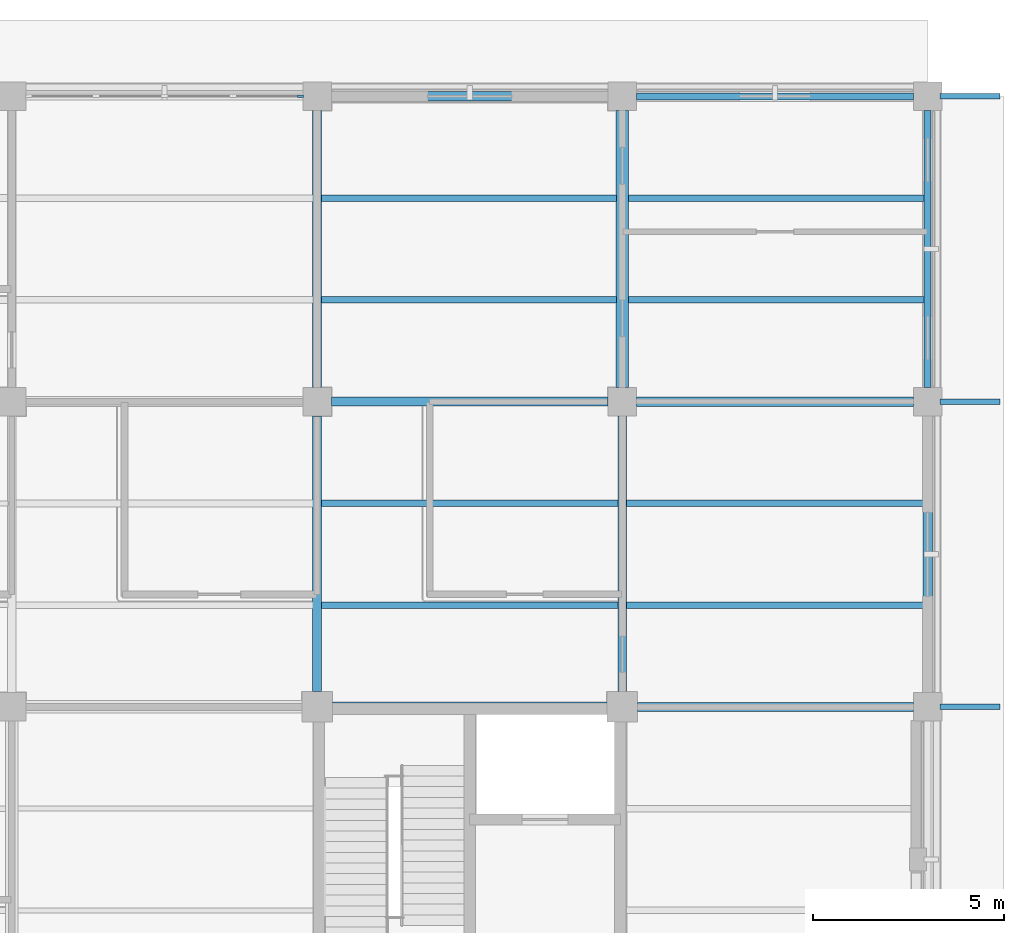
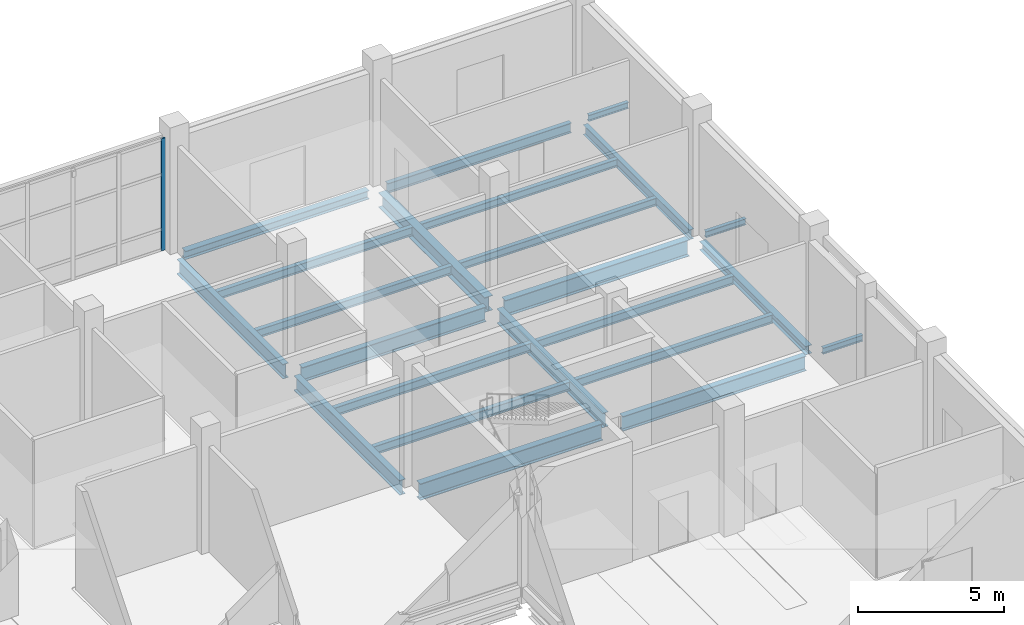
# One storey, part 47 of 105: 23 beams, 1 member, 1 element without a shape of its own.
"""IFC4 building model written with IfcOpenShell, lengths in metres."""

import ifcopenshell
import ifcopenshell.guid

model = None  # the IFC model being written
_history = None  # IfcOwnerHistory: only IFC2X3 demands one
_inside = {}  # id of a spatial element -> (the spatial element, [elements in it])
_under = {}  # id of a project, library or spatial element -> (it, [spatial elements below it])
_declared = {}  # id of a project -> (the project, [libraries it declares])
_typed = {}  # id of a type object -> (the type object, [elements of that type])
_made_of = {}  # id of a material, layer set ... -> (it, [elements and type objects made of it])


def new_model(schema):
    """Start an empty IFC model of exactly this schema.

    Asked for "IFC4X3", IfcOpenShell would pick the latest addendum, in which some entities
    have other attributes; the version numbers below select the first issue.
    IFC2X3 requires an IfcOwnerHistory on every rooted entity: one is made here for all.
    """
    global model, _history
    if schema == "IFC4X3":
        model = ifcopenshell.file(schema_version=(4, 3, 0, 0))
    else:
        model = ifcopenshell.file(schema=schema)
    _inside.clear()
    _under.clear()
    _declared.clear()
    _typed.clear()
    _made_of.clear()
    _history = None
    if model.schema == "IFC2X3":
        org = make("IfcOrganization", Name="unknown")
        user = make(
            "IfcPersonAndOrganization",
            ThePerson=make("IfcPerson", FamilyName="unknown"),
            TheOrganization=org,
        )
        app = make(
            "IfcApplication",
            ApplicationDeveloper=org,
            Version="unknown",
            ApplicationFullName="unknown",
            ApplicationIdentifier="unknown",
        )
        _history = make(
            "IfcOwnerHistory",
            OwningUser=user,
            OwningApplication=app,
            ChangeAction="ADDED",
            CreationDate=0,
        )
    return model


def make(cls, **values):
    """One entity of the class cls with the attributes given. An attribute that is None is left unset."""
    return model.create_entity(
        cls, **{name: value for name, value in values.items() if value is not None}
    )


def rooted(cls, **values):
    """An entity with a GlobalId (a new one), such as an element, a storey or a relation."""
    return make(cls, GlobalId=ifcopenshell.guid.new(), OwnerHistory=_history, **values)


def si_unit(unit_type, name, prefix=None):
    """IfcSIUnit, for example si_unit("LENGTHUNIT", "METRE", prefix="MILLI")."""
    return make("IfcSIUnit", UnitType=unit_type, Prefix=prefix, Name=name)


def derived_unit(unit_type, elements):
    """IfcDerivedUnit: a product of units, each with its exponent."""
    return make(
        "IfcDerivedUnit",
        Elements=[
            make("IfcDerivedUnitElement", Unit=unit, Exponent=power)
            for unit, power in elements
        ],
        UnitType=unit_type,
    )


def assignment(units):
    """IfcUnitAssignment: the units of a project."""
    return None if units is None else make("IfcUnitAssignment", Units=units)


def point(xyz):
    """IfcCartesianPoint."""
    return None if xyz is None else make("IfcCartesianPoint", Coordinates=xyz)


def direction(xyz):
    """IfcDirection."""
    return None if xyz is None else make("IfcDirection", DirectionRatios=xyz)


def frame(location, z_axis=None, x_axis=None):
    """IfcAxis2Placement3D, a coordinate frame: its origin and axes. An axis left out is left unset."""
    return make(
        "IfcAxis2Placement3D",
        Location=point(location),
        Axis=direction(z_axis),
        RefDirection=direction(x_axis),
    )


def frame_2d(location, x_axis=None):
    """IfcAxis2Placement2D, a coordinate frame in the plane: its origin and x axis."""
    return make(
        "IfcAxis2Placement2D", Location=point(location), RefDirection=direction(x_axis)
    )


def origin():
    """The frame at (0, 0, 0) with its axes left unset."""
    return frame((0.0, 0.0, 0.0))


def origin_2d():
    """The frame at (0, 0) in the plane with its x axis left unset."""
    return frame_2d((0.0, 0.0))


def place(relative_to, where):
    """IfcLocalPlacement: puts the frame where relative to a parent placement (None: the world)."""
    return make(
        "IfcLocalPlacement", PlacementRelTo=relative_to, RelativePlacement=where
    )


def context(
    kind, dimensions, precision=None, world=None, true_north=None, identifier=None
):
    """IfcGeometricRepresentationContext, for example the 3D "Model" context."""
    return make(
        "IfcGeometricRepresentationContext",
        ContextIdentifier=identifier,
        ContextType=kind,
        CoordinateSpaceDimension=dimensions,
        Precision=precision,
        WorldCoordinateSystem=world,
        TrueNorth=true_north,
    )


def subcontext(parent, identifier, kind, view, scale=None):
    """IfcGeometricRepresentationSubContext, for example "Body" below "Model"."""
    return make(
        "IfcGeometricRepresentationSubContext",
        ContextIdentifier=identifier,
        ContextType=kind,
        ParentContext=parent,
        TargetScale=scale,
        TargetView=view,
    )


def project(units=None, contexts=None):
    """IfcProject with its units and contexts."""
    return rooted(
        "IfcProject",
        Name="project",
        RepresentationContexts=contexts,
        UnitsInContext=assignment(units),
    )


def spatial(cls, under=None, at=None, **own):
    """A site, building, storey or space (cls), placed at a placement, below another one or the project."""
    s = rooted(cls, ObjectPlacement=at, **own)
    if under is not None:
        _under.setdefault(under.id(), (under, []))[1].append(s)
    return s


def profile(cls, at=None, kind="AREA", **sizes):
    """A parametric profile (cls). Its sizes go by their IFC names, for example OverallWidth=200.0."""
    return make(cls, ProfileType=kind, Position=at, **sizes)


def rectangle(**sizes):
    """IfcRectangleProfileDef."""
    return profile("IfcRectangleProfileDef", **sizes)


def i_section(**sizes):
    """IfcIShapeProfileDef."""
    return profile("IfcIShapeProfileDef", **sizes)


def extrude(swept, where, along, depth):
    """IfcExtrudedAreaSolid: the profile swept, set in the frame where, extruded along a direction by depth."""
    return make(
        "IfcExtrudedAreaSolid",
        SweptArea=swept,
        Position=where,
        ExtrudedDirection=direction(along),
        Depth=depth,
    )


def shape(context_of_items, identifier, shape_type, items):
    """IfcShapeRepresentation: the items that make up one representation, for example the "Body"."""
    return make(
        "IfcShapeRepresentation",
        ContextOfItems=context_of_items,
        RepresentationIdentifier=identifier,
        RepresentationType=shape_type,
        Items=items,
    )


def material(Name=None, Category=None):
    """IfcMaterial."""
    return make("IfcMaterial", Name=Name, Category=Category)


def layer(
    of_material, thickness, ventilated=None, Name=None, Category=None, Priority=None
):
    """IfcMaterialLayer: one layer of a wall or slab, of a material (None: an air gap)."""
    return make(
        "IfcMaterialLayer",
        Material=of_material,
        LayerThickness=thickness,
        IsVentilated=ventilated,
        Name=Name,
        Category=Category,
        Priority=Priority,
    )


def layer_set(layers, Name=None):
    """IfcMaterialLayerSet."""
    return make("IfcMaterialLayerSet", MaterialLayers=layers, LayerSetName=Name)


def material_profile(
    of_material, cross_section, Name=None, Category=None, Priority=None
):
    """IfcMaterialProfile: a cross section and its material."""
    return make(
        "IfcMaterialProfile",
        Name=Name,
        Material=of_material,
        Profile=cross_section,
        Priority=Priority,
        Category=Category,
    )


def profile_set(profiles, Name=None, composite=None):
    """IfcMaterialProfileSet."""
    return make(
        "IfcMaterialProfileSet",
        Name=Name,
        MaterialProfiles=profiles,
        CompositeProfile=composite,
    )


def made_of(thing, what):
    """Note that an element or type object is made of a material, layer set ...; save() writes the relation."""
    if what is not None:
        _made_of.setdefault(what.id(), (what, []))[1].append(thing)
    return thing


def type_object(cls, material=None, **own):
    """A type object (cls), such as IfcWallType, which elements share."""
    return made_of(rooted(cls, **own), material)


def element(
    cls,
    number,
    at=None,
    inside=None,
    cuts=None,
    type_object=None,
    material=None,
    context=None,
    identifier="Body",
    shape_type=None,
    held_by="IfcProductDefinitionShape",
    body=None,
    shapes=None,
    **own,
):
    """One element of the class cls, such as IfcWall. Its Tag is "e" and its number.

    at: its placement. inside: the storey or other place that contains it. cuts: it is an
    opening in that element (IfcRelVoidsElement). A single representation is given by context,
    identifier, shape_type and body (its items); several are given by shapes. held_by: the class
    of the entity that holds the representations. save() writes the other relations.
    """
    e = rooted(cls, Tag="e%d" % number, ObjectPlacement=at, **own)
    if body is not None:
        shapes = [shape(context, identifier, shape_type, body)]
    if shapes is not None:
        e.Representation = make(held_by, Representations=shapes)
    if inside is not None:
        _inside.setdefault(inside.id(), (inside, []))[1].append(e)
    if cuts is not None:
        rooted(
            "IfcRelVoidsElement", RelatingBuildingElement=cuts, RelatedOpeningElement=e
        )
    if type_object is not None:
        _typed.setdefault(type_object.id(), (type_object, []))[1].append(e)
    return made_of(e, material)


def aggregate(whole, parts):
    """IfcRelAggregates: a whole, such as a stair, and the parts it consists of."""
    return rooted("IfcRelAggregates", RelatingObject=whole, RelatedObjects=parts)


def save(model, path):
    """Write the relations noted so far, then the file.

    IfcRelAggregates (storeys below a building ...), IfcRelContainedInSpatialStructure (elements
    in a storey), IfcRelDefinesByType, IfcRelAssociatesMaterial and IfcRelDeclares: one each for
    every whole, place, type object, material and project.
    """
    for whole, parts in _under.values():
        aggregate(whole, parts)
    for where, things in _inside.values():
        rooted(
            "IfcRelContainedInSpatialStructure",
            RelatedElements=things,
            RelatingStructure=where,
        )
    for kind, things in _typed.values():
        rooted("IfcRelDefinesByType", RelatedObjects=things, RelatingType=kind)
    for what, things in _made_of.values():
        rooted("IfcRelAssociatesMaterial", RelatedObjects=things, RelatingMaterial=what)
    for by, libraries in _declared.values():
        rooted("IfcRelDeclares", RelatingContext=by, RelatedDefinitions=libraries)
    model.write(path)


model = new_model("IFC4")

# Units and contexts
model_context = context("Model", 3, precision=1e-05, world=origin(), true_north=direction((0.0, 1.0)))
body_context = subcontext(model_context, "Body", "Model", "MODEL_VIEW")
ifc_project = project(units=[si_unit("LENGTHUNIT", "METRE"), si_unit("AREAUNIT", "SQUARE_METRE"), si_unit("VOLUMEUNIT", "CUBIC_METRE"), si_unit("PLANEANGLEUNIT", "RADIAN"), si_unit("MASSUNIT", "GRAM", prefix="KILO"), derived_unit("THERMALTRANSMITTANCEUNIT", [(si_unit("MASSUNIT", "GRAM", prefix="KILO"), 1), (si_unit("TIMEUNIT", "SECOND"), -3), (si_unit("THERMODYNAMICTEMPERATUREUNIT", "KELVIN"), -1)])], contexts=[model_context])

# Site, building, storey
site_placement = place(None, origin())
site = spatial("IfcSite", under=ifc_project, at=site_placement, CompositionType="ELEMENT")
building_placement = place(site_placement, origin())
building = spatial("IfcBuilding", under=site, at=building_placement, Name="Veyamyaing Civic Hall", CompositionType="ELEMENT")
storey_placement = place(building_placement, origin())
storey = spatial("IfcBuildingStorey", under=building, at=storey_placement, Name="L00", CompositionType="ELEMENT", Elevation=0.0)

# Beams
ifc_material_1 = material(Name="Steel ASTM A992", Category="steel")
ifc_material_profile_1 = material_profile(ifc_material_1, i_section(OverallWidth=0.256103515625, OverallDepth=0.693115234375, WebThickness=0.014404296875, FlangeThickness=0.023681640625, FilletRadius=0.013916015625, at=origin_2d()), Name="W690X170")
ifc_profile_set_1 = profile_set([ifc_material_profile_1], Name="Steel ASTM A992")
beam_type_1 = type_object("IfcBeamType", Name="B-04", PredefinedType="BEAM", material=ifc_profile_set_1)
beam_1_placement = place(storey_placement, frame((160.39990234375, 96.0, -0.62158203125), z_axis=(1.0, 0.0, 0.0), x_axis=(0.0, 1.0, 0.0)))
element("IfcBeam", 1, at=beam_1_placement, inside=storey, type_object=beam_type_1, Name="Girder B-04 L00 Grid N 21-22", PredefinedType="BEAM", context=body_context, shape_type="SweptSolid", body=[
    extrude(i_section(OverallWidth=0.256103515625, OverallDepth=0.693115234375, WebThickness=0.014404296875, FlangeThickness=0.023681640625, FilletRadius=0.013916015625, at=origin_2d()), origin(), (0.0, 0.0, 1.0), 7.2001953125),
])
ifc_material_profile_2 = material_profile(ifc_material_1, i_section(OverallWidth=0.22998046875, OverallDepth=0.616943359375, WebThickness=0.01318359375, FlangeThickness=0.022216796875, FilletRadius=0.012939453125, at=origin_2d()), Name="W610X140")
ifc_profile_set_2 = profile_set([ifc_material_profile_2], Name="Steel ASTM A992")
beam_type_2 = type_object("IfcBeamType", Name="B-05", PredefinedType="BEAM", material=ifc_profile_set_2)
beam_2_placement = place(storey_placement, frame((168.39990234375, 96.0, -0.58349609375), z_axis=(1.0, 0.0, 0.0), x_axis=(0.0, 1.0, 0.0)))
element("IfcBeam", 2, at=beam_2_placement, inside=storey, type_object=beam_type_2, Name="Girder B-05 L00 Grid N 22-23", PredefinedType="BEAM", context=body_context, shape_type="SweptSolid", body=[
    extrude(i_section(OverallWidth=0.22998046875, OverallDepth=0.616943359375, WebThickness=0.01318359375, FlangeThickness=0.022216796875, FilletRadius=0.012939453125, at=origin_2d()), origin(), (0.0, 0.0, 1.0), 7.22509765625),
])
beam_3_placement = place(storey_placement, frame((160.375, 104.0, -0.58349609375), z_axis=(1.0, 0.0, 0.0), x_axis=(0.0, 1.0, 0.0)))
element("IfcBeam", 3, at=beam_3_placement, inside=storey, type_object=beam_type_2, Name="Girder B-05 L00 Grid P 21-22", PredefinedType="BEAM", context=body_context, shape_type="SweptSolid", body=[
    extrude(i_section(OverallWidth=0.22998046875, OverallDepth=0.616943359375, WebThickness=0.01318359375, FlangeThickness=0.022216796875, FilletRadius=0.012939453125, at=origin_2d()), origin(), (0.0, 0.0, 1.0), 7.25),
])
beam_4_placement = place(storey_placement, frame((160.0, 96.39990234375, -0.58349609375), z_axis=(0.0, 1.0, 0.0), x_axis=(-1.0, 0.0, 0.0)))
element("IfcBeam", 4, at=beam_4_placement, inside=storey, type_object=beam_type_2, Name="Girder B-05 L00 Grid 21 N-P", PredefinedType="BEAM", context=body_context, shape_type="SweptSolid", body=[
    extrude(i_section(OverallWidth=0.22998046875, OverallDepth=0.616943359375, WebThickness=0.01318359375, FlangeThickness=0.022216796875, FilletRadius=0.012939453125, at=origin_2d()), origin(), (0.0, 0.0, 1.0), 7.22509765625),
])
ifc_material_profile_3 = material_profile(ifc_material_1, i_section(OverallWidth=0.22802734375, OverallDepth=0.60791015625, WebThickness=0.01123046875, FlangeThickness=0.017333984375, FilletRadius=0.012939453125, at=origin_2d()), Name="W610X113")
ifc_profile_set_3 = profile_set([ifc_material_profile_3], Name="Steel ASTM A992")
beam_type_3 = type_object("IfcBeamType", Name="B-06", PredefinedType="BEAM", material=ifc_profile_set_3)
beam_5_placement = place(storey_placement, frame((160.0, 104.375, -0.5791015625), z_axis=(0.0, 1.0, 0.0), x_axis=(-1.0, 0.0, 0.0)))
element("IfcBeam", 5, at=beam_5_placement, inside=storey, type_object=beam_type_3, Name="Girder B-06 L00 Grid 21 P-Q", PredefinedType="BEAM", context=body_context, shape_type="SweptSolid", body=[
    extrude(i_section(OverallWidth=0.22802734375, OverallDepth=0.60791015625, WebThickness=0.01123046875, FlangeThickness=0.017333984375, FilletRadius=0.012939453125, at=origin_2d()), origin(), (0.0, 0.0, 1.0), 7.25),
])
beam_6_placement = place(storey_placement, frame((168.0, 96.39990234375, -0.5791015625), z_axis=(0.0, 1.0, 0.0), x_axis=(-1.0, 0.0, 0.0)))
element("IfcBeam", 6, at=beam_6_placement, inside=storey, type_object=beam_type_3, Name="Girder B-06 L00 Grid 22 N-P", PredefinedType="BEAM", context=body_context, shape_type="SweptSolid", body=[
    extrude(i_section(OverallWidth=0.22802734375, OverallDepth=0.60791015625, WebThickness=0.01123046875, FlangeThickness=0.017333984375, FilletRadius=0.012939453125, at=origin_2d()), origin(), (0.0, 0.0, 1.0), 7.22509765625),
])
ifc_material_profile_4 = material_profile(ifc_material_1, i_section(OverallWidth=0.179931640625, OverallDepth=0.4130859375, WebThickness=0.009765625, FlangeThickness=0.01611328125, FilletRadius=0.010009765625, at=origin_2d()), Name="W410X74")
ifc_profile_set_4 = profile_set([ifc_material_profile_4], Name="Steel ASTM A992")
beam_type_4 = type_object("IfcBeamType", Name="B-10", PredefinedType="SPANDREL", material=ifc_profile_set_4)
for number, where, z_axis, x_axis, name in (
    (7, (168.375, 112.0, -0.4814453125), (1.0, 0.0, 0.0), (0.0, 1.0, 0.0), "Girder B-10 L00 Grid Q 22-23"),
    (8, (176.0, 104.375, -0.4814453125), (0.0, 1.0, 0.0), (-1.0, 0.0, 0.0), "Girder B-10 L00 Grid 23 P-Q"),
):
    element("IfcBeam", number, at=place(storey_placement, frame(where, z_axis=z_axis, x_axis=x_axis)), inside=storey, type_object=beam_type_4, Name=name, PredefinedType="SPANDREL", context=body_context, shape_type="SweptSolid", body=[
        extrude(i_section(OverallWidth=0.179931640625, OverallDepth=0.4130859375, WebThickness=0.009765625, FlangeThickness=0.01611328125, FilletRadius=0.010009765625, at=origin_2d()), origin(), (0.0, 0.0, 1.0), 7.25),
    ])
ifc_material_profile_5 = material_profile(ifc_material_1, i_section(OverallWidth=0.14599609375, OverallDepth=0.258056640625, WebThickness=0.006103515625, FlangeThickness=0.009033203125, FilletRadius=0.010009765625, at=origin_2d()), Name="W250X33")
ifc_profile_set_5 = profile_set([ifc_material_profile_5], Name="Steel ASTM A992")
beam_type_5 = type_object("IfcBeamType", Name="B-12", PredefinedType="BEAM", material=ifc_profile_set_5)
for number, where, z_axis, x_axis, name in (
    (9, (176.320068359375, 96.0, -0.34912109375), (1.0, 0.0, 0.0), (0.0, 1.0, 0.0), "Colonnade deck transverse beam B-12 E.12"),
    (10, (176.320068359375, 104.0, -0.34912109375), (1.0, 0.0, 0.0), (0.0, 1.0, 0.0), "Colonnade deck transverse beam B-12 E.13"),
    (11, (176.320068359375, 112.0, -0.34912109375), (1.0, 0.0, 0.0), (0.0, 1.0, 0.0), "Colonnade deck transverse beam B-12 E.14"),
):
    element("IfcBeam", number, at=place(storey_placement, frame(where, z_axis=z_axis, x_axis=x_axis)), inside=storey, type_object=beam_type_5, Name=name, PredefinedType="BEAM", context=body_context, shape_type="SweptSolid", body=[
        extrude(i_section(OverallWidth=0.14599609375, OverallDepth=0.258056640625, WebThickness=0.006103515625, FlangeThickness=0.009033203125, FilletRadius=0.010009765625, at=origin_2d()), origin(), (0.0, 0.0, 1.0), 1.579833984375),
    ])
ifc_material_profile_6 = material_profile(ifc_material_1, i_section(OverallWidth=0.25390625, OverallDepth=0.68408203125, WebThickness=0.012451171875, FlangeThickness=0.01904296875, FilletRadius=0.013916015625, at=origin_2d()), Name="W690X140")
ifc_profile_set_6 = profile_set([ifc_material_profile_6], Name="Steel ASTM A992")
beam_type_6 = type_object("IfcBeamType", Name="B-14", PredefinedType="BEAM", material=ifc_profile_set_6)
beam_7_placement = place(storey_placement, frame((168.375, 104.0, -0.616943359375), z_axis=(1.0, 0.0, 0.0), x_axis=(0.0, 1.0, 0.0)))
element("IfcBeam", 12, at=beam_7_placement, inside=storey, type_object=beam_type_6, Name="Girder B-14 L00 Grid P 22-23", PredefinedType="BEAM", context=body_context, shape_type="SweptSolid", body=[
    extrude(i_section(OverallWidth=0.25390625, OverallDepth=0.68408203125, WebThickness=0.012451171875, FlangeThickness=0.01904296875, FilletRadius=0.013916015625, at=origin_2d()), origin(), (0.0, 0.0, 1.0), 7.25),
])
ifc_material_profile_7 = material_profile(ifc_material_1, i_section(OverallWidth=0.324951171875, OverallDepth=0.615966796875, WebThickness=0.013916015625, FlangeThickness=0.021484375, FilletRadius=0.013916015625, at=origin_2d()), Name="W610X174")
ifc_profile_set_7 = profile_set([ifc_material_profile_7], Name="Steel ASTM A992")
beam_type_7 = type_object("IfcBeamType", Name="B-15", PredefinedType="BEAM", material=ifc_profile_set_7)
beam_8_placement = place(storey_placement, frame((168.0, 104.375, -0.5830078125), z_axis=(0.0, 1.0, 0.0), x_axis=(-1.0, 0.0, 0.0)))
element("IfcBeam", 13, at=beam_8_placement, inside=storey, type_object=beam_type_7, Name="Girder B-15 L00 Grid 22 P-Q", PredefinedType="BEAM", context=body_context, shape_type="SweptSolid", body=[
    extrude(i_section(OverallWidth=0.324951171875, OverallDepth=0.615966796875, WebThickness=0.013916015625, FlangeThickness=0.021484375, FilletRadius=0.013916015625, at=origin_2d()), origin(), (0.0, 0.0, 1.0), 7.25),
])
ifc_material_profile_8 = material_profile(ifc_material_1, i_section(OverallWidth=0.25390625, OverallDepth=0.35302734375, WebThickness=0.009521484375, FlangeThickness=0.016357421875, FilletRadius=0.011962890625, at=origin_2d()), Name="W360X91")
ifc_profile_set_8 = profile_set([ifc_material_profile_8], Name="Steel ASTM A992")
beam_type_8 = type_object("IfcBeamType", Name="B-20", PredefinedType="SPANDREL", material=ifc_profile_set_8)
for number, where, z_axis, x_axis, name in (
    (14, (160.375, 112.0, -0.451416015625), (1.0, 0.0, 0.0), (0.0, 1.0, 0.0), "Girder B-20 L00 Grid Q 21-22"),
    (15, (176.0, 96.375, -0.451416015625), (0.0, 1.0, 0.0), (-1.0, 0.0, 0.0), "Girder B-20 L00 Grid 23 N-P"),
):
    element("IfcBeam", number, at=place(storey_placement, frame(where, z_axis=z_axis, x_axis=x_axis)), inside=storey, type_object=beam_type_8, Name=name, PredefinedType="SPANDREL", context=body_context, shape_type="SweptSolid", body=[
        extrude(i_section(OverallWidth=0.25390625, OverallDepth=0.35302734375, WebThickness=0.009521484375, FlangeThickness=0.016357421875, FilletRadius=0.011962890625, at=origin_2d()), origin(), (0.0, 0.0, 1.0), 7.25),
    ])

# Curtain wall, member
ifc_material_2 = material(Name="Anodised aluminium 6063-T6", Category="aluminium")
ifc_layer = layer(ifc_material_2, 0.159912109375, Name="Anodised aluminium 6063-T6")
ifc_layer_set = layer_set([ifc_layer], Name="Anodised aluminium 6063-T6")
curtain_wall_type = type_object("IfcCurtainWallType", Name="CW-01", PredefinedType="NOTDEFINED", material=ifc_layer_set)
curtain_wall_placement = place(storey_placement, origin())
curtain_wall = element("IfcCurtainWall", 16, at=curtain_wall_placement, inside=storey, type_object=curtain_wall_type, Name="Unitized curtain wall CW-01 L00 N 20.14", PredefinedType="NOTDEFINED")
ifc_material_profile_9 = material_profile(ifc_material_2, rectangle(XDim=0.06494140625, YDim=0.159912109375, at=origin_2d()), Name="ALU-MUL-65X160")
ifc_profile_set_9 = profile_set([ifc_material_profile_9], Name="Anodised aluminium 6063-T6")
member_type = type_object("IfcMemberType", Name="CWM-01", PredefinedType="MULLION", material=ifc_profile_set_9)
member_placement = place(storey_placement, frame((159.5625, 112.0, 0.0), z_axis=(0.0, 0.0, 1.0), x_axis=(0.0, 1.0, 0.0)))
member = element("IfcMember", 17, at=member_placement, type_object=member_type, Name="CW-01 mullion 5", PredefinedType="MULLION", context=body_context, shape_type="SweptSolid", body=[
    extrude(rectangle(XDim=0.06494140625, YDim=0.159912109375, at=origin_2d()), origin(), (0.0, 0.0, 1.0), 4.674072265625),
])
aggregate(curtain_wall, [member])

# Beams
ifc_material_profile_10 = material_profile(ifc_material_1, i_section(OverallWidth=0.172119140625, OverallDepth=0.35791015625, WebThickness=0.0078125, FlangeThickness=0.01318359375, FilletRadius=0.010009765625, at=origin_2d()), Name="W360X57")
ifc_profile_set_10 = profile_set([ifc_material_profile_10], Name="Steel ASTM A992")
beam_type_9 = type_object("IfcBeamType", Name="J-02", PredefinedType="JOIST", material=ifc_profile_set_10)
for number, where, z_axis, x_axis, name in (
    (18, (160.113037109375, 98.666748046875, -0.4541015625), (1.0, 0.0, 0.0), (0.0, 1.0, 0.0), "Composite floor joist J-02 L00 21.13.1"),
    (19, (160.113037109375, 101.333251953125, -0.4541015625), (1.0, 0.0, 0.0), (0.0, 1.0, 0.0), "Composite floor joist J-02 L00 21.13.2"),
):
    element("IfcBeam", number, at=place(storey_placement, frame(where, z_axis=z_axis, x_axis=x_axis)), inside=storey, type_object=beam_type_9, Name=name, PredefinedType="JOIST", context=body_context, shape_type="SweptSolid", body=[
        extrude(i_section(OverallWidth=0.172119140625, OverallDepth=0.35791015625, WebThickness=0.0078125, FlangeThickness=0.01318359375, FilletRadius=0.010009765625, at=origin_2d()), origin(), (0.0, 0.0, 1.0), 7.77490234375),
    ])
ifc_material_profile_11 = material_profile(ifc_material_1, i_section(OverallWidth=0.1708984375, OverallDepth=0.35205078125, WebThickness=0.0068359375, FlangeThickness=0.009765625, FilletRadius=0.010009765625, at=origin_2d()), Name="W360X44")
ifc_profile_set_11 = profile_set([ifc_material_profile_11], Name="Steel ASTM A992")
beam_type_10 = type_object("IfcBeamType", Name="J-03", PredefinedType="JOIST", material=ifc_profile_set_11)
for number, where, z_axis, x_axis, name in (
    (20, (160.112060546875, 106.666748046875, -0.450927734375), (1.0, 0.0, 0.0), (0.0, 1.0, 0.0), "Composite floor joist J-03 L00 21.14.1"),
    (21, (160.112060546875, 109.333251953125, -0.450927734375), (1.0, 0.0, 0.0), (0.0, 1.0, 0.0), "Composite floor joist J-03 L00 21.14.2"),
):
    element("IfcBeam", number, at=place(storey_placement, frame(where, z_axis=z_axis, x_axis=x_axis)), inside=storey, type_object=beam_type_10, Name=name, PredefinedType="JOIST", context=body_context, shape_type="SweptSolid", body=[
        extrude(i_section(OverallWidth=0.1708984375, OverallDepth=0.35205078125, WebThickness=0.0068359375, FlangeThickness=0.009765625, FilletRadius=0.010009765625, at=origin_2d()), origin(), (0.0, 0.0, 1.0), 7.7275390625),
    ])
for number, where, z_axis, x_axis, name in (
    (22, (168.112060546875, 98.666748046875, -0.450927734375), (1.0, 0.0, 0.0), (0.0, 1.0, 0.0), "Composite floor joist J-03 L00 22.13.1"),
    (23, (168.112060546875, 101.333251953125, -0.450927734375), (1.0, 0.0, 0.0), (0.0, 1.0, 0.0), "Composite floor joist J-03 L00 22.13.2"),
):
    element("IfcBeam", number, at=place(storey_placement, frame(where, z_axis=z_axis, x_axis=x_axis)), inside=storey, type_object=beam_type_10, Name=name, PredefinedType="JOIST", context=body_context, shape_type="SweptSolid", body=[
        extrude(i_section(OverallWidth=0.1708984375, OverallDepth=0.35205078125, WebThickness=0.0068359375, FlangeThickness=0.009765625, FilletRadius=0.010009765625, at=origin_2d()), origin(), (0.0, 0.0, 1.0), 7.762939453125),
    ])
ifc_material_profile_12 = material_profile(ifc_material_1, i_section(OverallWidth=0.1669921875, OverallDepth=0.318115234375, WebThickness=0.007568359375, FlangeThickness=0.01318359375, FilletRadius=0.010009765625, at=origin_2d()), Name="W310X52")
ifc_profile_set_12 = profile_set([ifc_material_profile_12], Name="Steel ASTM A992")
beam_type_11 = type_object("IfcBeamType", Name="J-04", PredefinedType="JOIST", material=ifc_profile_set_12)
for number, where, z_axis, x_axis, name in (
    (24, (168.160400390625, 106.666748046875, -0.43408203125), (1.0, 0.0, 0.0), (0.0, 1.0, 0.0), "Composite floor joist J-04 L00 22.14.1"),
    (25, (168.160400390625, 109.333251953125, -0.43408203125), (1.0, 0.0, 0.0), (0.0, 1.0, 0.0), "Composite floor joist J-04 L00 22.14.2"),
):
    element("IfcBeam", number, at=place(storey_placement, frame(where, z_axis=z_axis, x_axis=x_axis)), inside=storey, type_object=beam_type_11, Name=name, PredefinedType="JOIST", context=body_context, shape_type="SweptSolid", body=[
        extrude(i_section(OverallWidth=0.1669921875, OverallDepth=0.318115234375, WebThickness=0.007568359375, FlangeThickness=0.01318359375, FilletRadius=0.010009765625, at=origin_2d()), origin(), (0.0, 0.0, 1.0), 7.751708984375),
    ])

save(model, "model.ifc")
